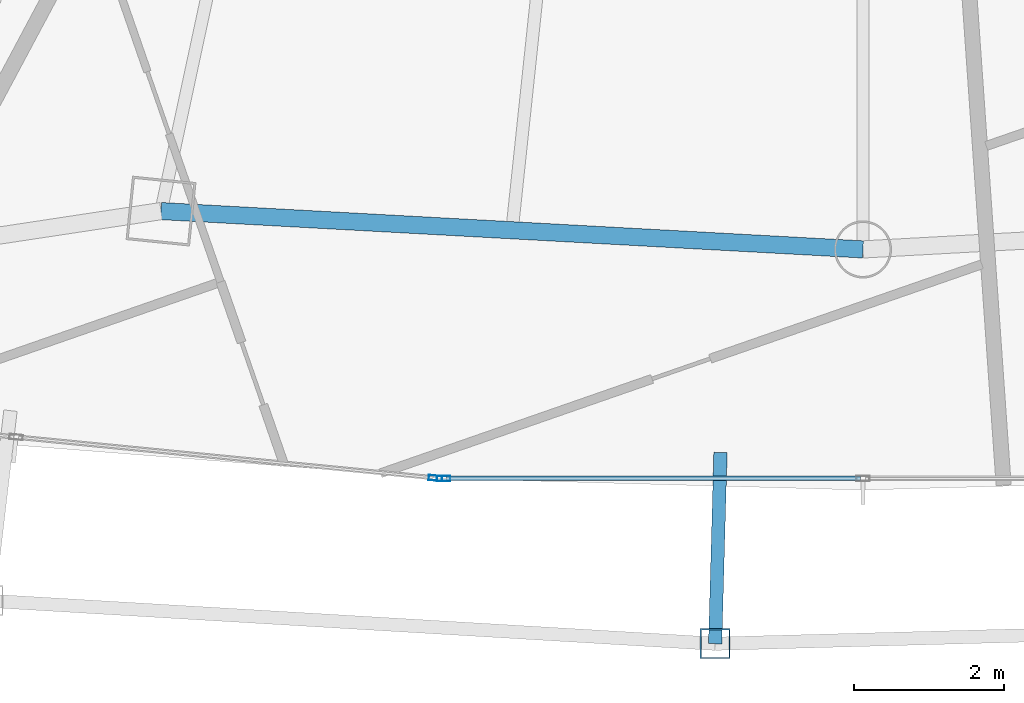
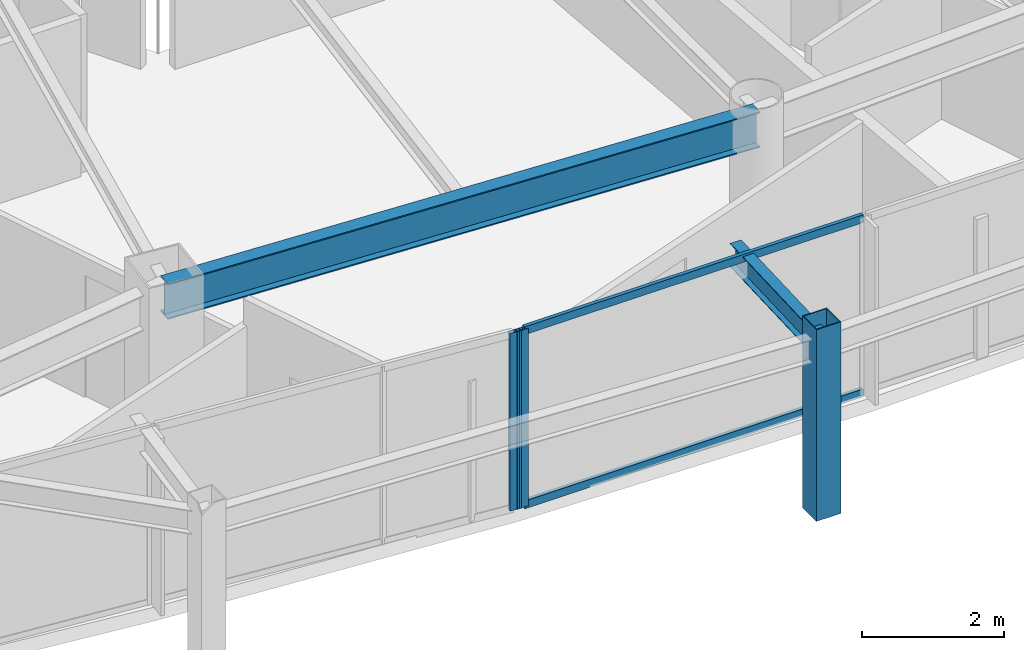
# One storey, part 7 of 29: 5 members, 2 beams, 2 elements without a shape of their own.
"""IFC4 building model written with IfcOpenShell, lengths in metres."""

from ifc_helpers import new_model, si_unit, direction, frame, origin, origin_2d, place, context, subcontext, project, spatial, hollow_rectangle, i_section, extrude, material, layer, layer_set, material_profile, profile_set, type_object, element, aggregate, save


model = new_model("IFC4")

# Units and contexts
model_context = context("Model", 3, precision=1e-05, world=origin(), true_north=direction((0.0, 1.0)))
body_context = subcontext(model_context, "Body", "Model", "MODEL_VIEW")
ifc_project = project(units=[si_unit("LENGTHUNIT", "METRE"), si_unit("AREAUNIT", "SQUARE_METRE"), si_unit("VOLUMEUNIT", "CUBIC_METRE"), si_unit("PLANEANGLEUNIT", "RADIAN"), si_unit("MASSUNIT", "GRAM", prefix="KILO")], contexts=[model_context])

# Site, building, storey
site_placement = place(None, origin())
site = spatial("IfcSite", under=ifc_project, at=site_placement, CompositionType="ELEMENT")
building_placement = place(site_placement, origin())
building = spatial("IfcBuilding", under=site, at=building_placement, Name="Orvanel Arch Residences", CompositionType="ELEMENT")
storey_placement = place(building_placement, frame((0.0, 0.0, 163.85009765625)))
storey = spatial("IfcBuildingStorey", under=building, at=storey_placement, Name="L46", CompositionType="ELEMENT", Elevation=163.85009765625)

# Curtain wall, member
ifc_material_1 = material(Name="Bronze-anodised aluminium AA6063-T6", Category="aluminium")
ifc_layer = layer(ifc_material_1, 0.179931640625)
ifc_layer_set = layer_set([ifc_layer], Name="Bronze-anodised aluminium AA6063-T6")
curtain_wall_type = type_object("IfcCurtainWallType", Name="CW3-MID-SYS", PredefinedType="NOTDEFINED", material=ifc_layer_set)
curtain_wall_1_placement = place(storey_placement, origin())
curtain_wall_1 = element("IfcCurtainWall", 1, at=curtain_wall_1_placement, inside=storey, type_object=curtain_wall_type, Name="L46 CW3-MID-SYS Unitised Curtain Wall", PredefinedType="NOTDEFINED")
ifc_material_profile_1 = material_profile(ifc_material_1, hollow_rectangle(XDim=0.070068359375, YDim=0.179931640625, WallThickness=0.00439453125, at=origin_2d()), Name="ALU180x70x4.5")
ifc_profile_set_1 = profile_set([ifc_material_profile_1], Name="Bronze-anodised aluminium AA6063-T6")
member_type_1 = type_object("IfcMemberType", Name="MUL-180x70", PredefinedType="MULLION", material=ifc_profile_set_1)
member_1_placement = place(storey_placement, frame((27.30419921875, 3.79833984375, 0.0), z_axis=(0.0, 0.0, 1.0), x_axis=(0.097286031613, 0.995256463457, 0.0)))
member_1 = element("IfcMember", 2, at=member_1_placement, type_object=member_type_1, Name="CW-S3 mullion 3", PredefinedType="MULLION", context=body_context, shape_type="SweptSolid", body=[
    extrude(hollow_rectangle(XDim=0.070068359375, YDim=0.179931640625, WallThickness=0.00439453125, at=origin_2d()), origin(), (0.0, 0.0, 1.0), 3.059814453125),
])
aggregate(curtain_wall_1, [member_1])

curtain_wall_2_placement = place(storey_placement, origin())
curtain_wall_2 = element("IfcCurtainWall", 3, at=curtain_wall_2_placement, inside=storey, type_object=curtain_wall_type, Name="L46 CW3-MID-SYS Unitised Curtain Wall", PredefinedType="NOTDEFINED")
member_2_placement = place(storey_placement, frame((27.4140625, 3.79296875, 0.0), z_axis=(0.0, 0.0, 1.0), x_axis=(0.0, 1.0, 0.0)))
member_2 = element("IfcMember", 4, at=member_2_placement, type_object=member_type_1, Name="CW-S3 mullion 1", PredefinedType="MULLION", context=body_context, shape_type="SweptSolid", body=[
    extrude(hollow_rectangle(XDim=0.070068359375, YDim=0.179931640625, WallThickness=0.00439453125, at=origin_2d()), origin(), (0.0, 0.0, 1.0), 3.059814453125),
])

# Beams
ifc_material_2 = material(Name="Structural steel AS/NZS 3679.1 Grade 300 (300 MPa)", Category="steel")
ifc_material_profile_2 = material_profile(ifc_material_2, i_section(OverallWidth=0.177978515625, OverallDepth=0.406005859375, WebThickness=0.0078125, FlangeThickness=0.0126953125, at=origin_2d()), Name="410UB59.7")
ifc_profile_set_2 = profile_set([ifc_material_profile_2], Name="Structural steel AS/NZS 3679.1 Grade 300 (300 MPa)")
beam_type_1 = type_object("IfcBeamType", Name="OB-410UB-EXT", PredefinedType="SPANDREL", material=ifc_profile_set_2)
beam_1_placement = place(storey_placement, frame((31.10205078125, 4.139892578125, 2.85693359375), z_axis=(-0.027862741543, -0.999611758451, 0.0), x_axis=(0.999611758451, -0.027862741543, 0.0)))
element("IfcBeam", 5, at=beam_1_placement, inside=storey, type_object=beam_type_1, Name="L46 Outer Frame Radial Tie Beam 06", PredefinedType="SPANDREL", context=body_context, shape_type="SweptSolid", body=[
    extrude(i_section(OverallWidth=0.177978515625, OverallDepth=0.406005859375, WebThickness=0.0078125, FlangeThickness=0.0126953125, at=origin_2d()), origin(), (0.0, 0.0, 1.0), 2.5498046875),
])
ifc_material_profile_3 = material_profile(ifc_material_2, i_section(OverallWidth=0.22900390625, OverallDepth=0.612060546875, WebThickness=0.011962890625, FlangeThickness=0.01953125, at=origin_2d()), Name="610UB125")
ifc_profile_set_3 = profile_set([ifc_material_profile_3], Name="Structural steel AS/NZS 3679.1 Grade 300 (300 MPa)")
beam_type_2 = type_object("IfcBeamType", Name="SP-610UB", PredefinedType="SPANDREL", material=ifc_profile_set_3)
beam_2_placement = place(storey_placement, frame((23.64892578125, 7.35498046875, 2.75390625), z_axis=(0.998510315598, -0.054563262768, 0.0), x_axis=(0.054563262768, 0.998510315598, 0.0)))
element("IfcBeam", 6, at=beam_2_placement, inside=storey, type_object=beam_type_2, Name="L46 Perimeter Spandrel Beam 05", PredefinedType="SPANDREL", context=body_context, shape_type="SweptSolid", body=[
    extrude(i_section(OverallWidth=0.22900390625, OverallDepth=0.612060546875, WebThickness=0.011962890625, FlangeThickness=0.01953125, at=origin_2d()), origin(), (0.0, 0.0, 1.0), 9.364990234375),
])

# Member
ifc_material_3 = material(Name="Structural steel AS/NZS 1163 C450L0 (Grade 450)", Category="steel")
ifc_material_profile_4 = material_profile(ifc_material_3, hollow_rectangle(XDim=0.39990234375, YDim=0.39990234375, WallThickness=0.01611328125, at=origin_2d()), Name="SHS400x400x16")
ifc_profile_set_4 = profile_set([ifc_material_profile_4], Name="Structural steel AS/NZS 1163 C450L0 (Grade 450)")
member_type_2 = type_object("IfcMemberType", Name="ST-400SHS-EXT", PredefinedType="STRUT", material=ifc_profile_set_4)
member_3_placement = place(storey_placement, frame((31.031005859375, 1.591064453125, 0.0), z_axis=(0.0, 0.0, 1.0), x_axis=(1.0, 0.0, 0.0)))
element("IfcMember", 7, at=member_3_placement, inside=storey, type_object=member_type_2, Name="L46 Outer Perimeter Frame Post 06", PredefinedType="STRUT", context=body_context, shape_type="SweptSolid", body=[
    extrude(hollow_rectangle(XDim=0.39990234375, YDim=0.39990234375, WallThickness=0.01611328125, at=origin_2d()), origin(), (0.0, 0.0, 1.0), 3.2998046875),
])

ifc_material_profile_5 = material_profile(ifc_material_1, hollow_rectangle(XDim=0.06005859375, YDim=0.135009765625, WallThickness=0.00390625, at=origin_2d()), Name="ALU135x60x4")
ifc_profile_set_5 = profile_set([ifc_material_profile_5], Name="Bronze-anodised aluminium AA6063-T6")
member_type_3 = type_object("IfcMemberType", Name="TRN-135x60", PredefinedType="USERDEFINED", material=ifc_profile_set_5)
member_4_placement = place(storey_placement, frame((27.448974609375, 3.79296875, 0.02978515625), z_axis=(1.0, 0.0, 0.0), x_axis=(0.0, 1.0, 0.0)))
member_4 = element("IfcMember", 8, at=member_4_placement, type_object=member_type_3, Name="CW-S3 transom 1.1", ObjectType="TRANSOM", PredefinedType="USERDEFINED", context=body_context, shape_type="SweptSolid", body=[
    extrude(hollow_rectangle(XDim=0.06005859375, YDim=0.135009765625, WallThickness=0.00390625, at=origin_2d()), origin(), (0.0, 0.0, 1.0), 5.51611328125),
])

member_5_placement = place(storey_placement, frame((27.448974609375, 3.79296875, 3.02978515625), z_axis=(1.0, 0.0, 0.0), x_axis=(0.0, 1.0, 0.0)))
member_5 = element("IfcMember", 9, at=member_5_placement, type_object=member_type_3, Name="CW-S3 transom 1.2", ObjectType="TRANSOM", PredefinedType="USERDEFINED", context=body_context, shape_type="SweptSolid", body=[
    extrude(hollow_rectangle(XDim=0.06005859375, YDim=0.135009765625, WallThickness=0.00390625, at=origin_2d()), origin(), (0.0, 0.0, 1.0), 5.51611328125),
])

aggregate(curtain_wall_2, [member_2, member_4, member_5])

save(model, "model.ifc")
